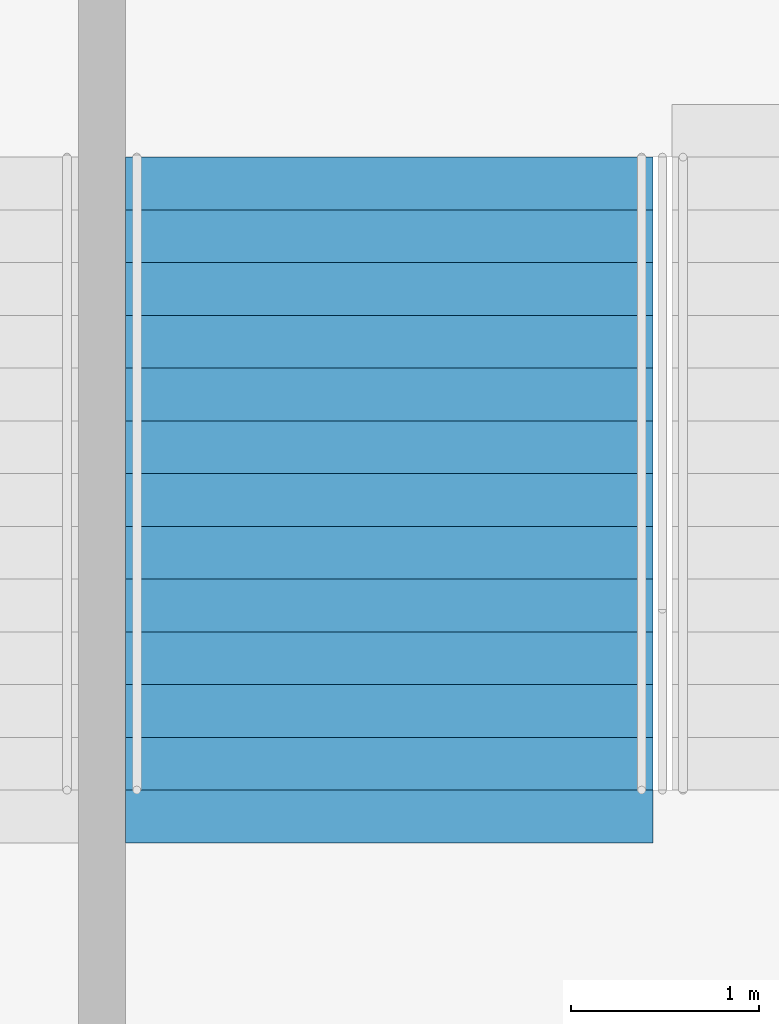
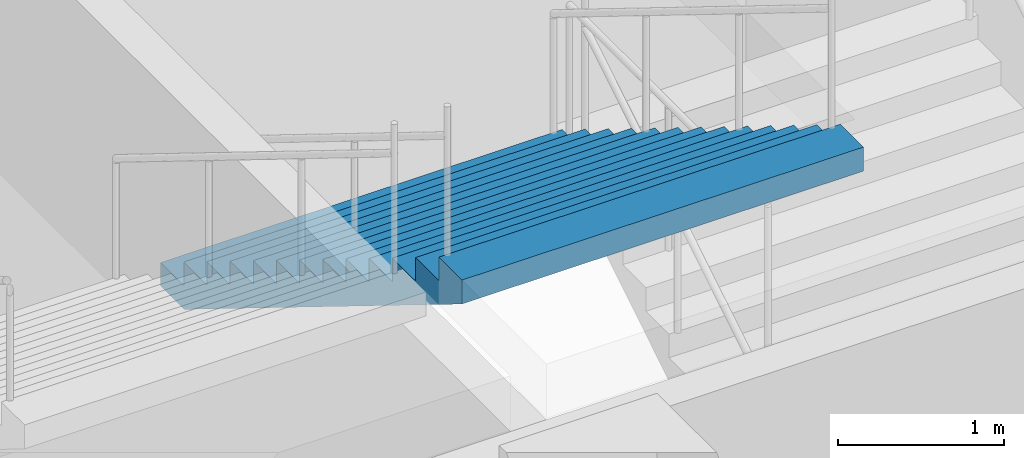
# One storey, part 146 of 177: 1 stair flight, 1 element without a shape of its own.
"""IFC4 building model written with IfcOpenShell, lengths in metres."""

from ifc_helpers import new_model, si_unit, direction, frame, origin, place, context, subcontext, project, spatial, faceted_brep, material, type_object, element, aggregate, save


model = new_model("IFC4")

# Units and contexts
model_context = context("Model", 3, precision=1e-05, world=origin(), true_north=direction((0.0, 1.0)))
body_context = subcontext(model_context, "Body", "Model", "MODEL_VIEW")
ifc_project = project(units=[si_unit("LENGTHUNIT", "METRE"), si_unit("AREAUNIT", "SQUARE_METRE"), si_unit("VOLUMEUNIT", "CUBIC_METRE"), si_unit("PLANEANGLEUNIT", "RADIAN"), si_unit("MASSUNIT", "GRAM", prefix="KILO")], contexts=[model_context])

# Site, building, storey
site_placement = place(None, origin())
site = spatial("IfcSite", under=ifc_project, at=site_placement, CompositionType="ELEMENT")
building_placement = place(site_placement, origin())
building = spatial("IfcBuilding", under=site, at=building_placement, Name="Ogive Plaza Stadium", CompositionType="ELEMENT")
storey_placement = place(building_placement, frame((0.0, 0.0, 18.0)))
storey = spatial("IfcBuildingStorey", under=building, at=storey_placement, Name="L04", CompositionType="ELEMENT", Elevation=18.0)

# Stair, stair flight
ifc_material_1 = material(Name="Concrete C40/50", Category="concrete")
stair_type = type_object("IfcStairType", Name="Exit stair", PredefinedType="STRAIGHT_RUN_STAIR", material=ifc_material_1)
stair_placement = place(storey_placement, origin())
stair = element("IfcStair", 1, at=stair_placement, inside=storey, type_object=stair_type, Name="Exit stair ST34A L04 to L05", PredefinedType="STRAIGHT_RUN_STAIR")
ifc_material_2 = material(Name="Concrete C40/50", Category="concrete")
stair_flight_type = type_object("IfcStairFlightType", Name="Exit stair flight", PredefinedType="STRAIGHT", material=ifc_material_2)
stair_flight_placement = place(storey_placement, frame((-5.27490234375, 98.2099609375, 2.25), z_axis=(0.0, 0.0, 1.0), x_axis=(0.0, -1.0, 0.0)))
stair_flight = element("IfcStairFlight", 2, at=stair_flight_placement, type_object=stair_flight_type, Name="ST34A flight 2", NumberOfRisers=13, NumberOfTreads=12, PredefinedType="STRAIGHT", RiserHeight=0.173076923, TreadLength=0.28, context=body_context, shape_type="Brep", body=[
    faceted_brep([(0.28515625, -1.39990234375, 0.0), (3.639892578125, -1.39990234375, 2.07373046875), (3.639892578125, -1.39990234375, 2.25), (3.360107421875, -1.39990234375, 2.25), (3.360107421875, -1.39990234375, 2.076904296875), (3.080078125, -1.39990234375, 2.076904296875), (3.080078125, -1.39990234375, 1.90380859375), (2.800048828125, -1.39990234375, 1.90380859375), (2.800048828125, -1.39990234375, 1.730712890625), (2.52001953125, -1.39990234375, 1.730712890625), (2.52001953125, -1.39990234375, 1.5576171875), (2.239990234375, -1.39990234375, 1.5576171875), (2.239990234375, -1.39990234375, 1.384521484375), (1.9599609375, -1.39990234375, 1.384521484375), (1.9599609375, -1.39990234375, 1.21142578125), (1.679931640625, -1.39990234375, 1.21142578125), (1.679931640625, -1.39990234375, 1.03857421875), (1.39990234375, -1.39990234375, 1.03857421875), (1.39990234375, -1.39990234375, 0.865478515625), (1.1201171875, -1.39990234375, 0.865478515625), (1.1201171875, -1.39990234375, 0.6923828125), (0.840087890625, -1.39990234375, 0.6923828125), (0.840087890625, -1.39990234375, 0.519287109375), (0.56005859375, -1.39990234375, 0.519287109375), (0.56005859375, -1.39990234375, 0.34619140625), (0.280029296875, -1.39990234375, 0.34619140625), (0.280029296875, -1.39990234375, 0.173095703125), (0.0, -1.39990234375, 0.173095703125), (0.0, -1.39990234375, 0.0), (0.0, 1.39990234375, 0.0), (0.0, 1.39990234375, 0.173095703125), (0.280029296875, 1.39990234375, 0.173095703125), (0.280029296875, 1.39990234375, 0.34619140625), (0.56005859375, 1.39990234375, 0.34619140625), (0.56005859375, 1.39990234375, 0.519287109375), (0.840087890625, 1.39990234375, 0.519287109375), (0.840087890625, 1.39990234375, 0.6923828125), (1.1201171875, 1.39990234375, 0.6923828125), (1.1201171875, 1.39990234375, 0.865478515625), (1.39990234375, 1.39990234375, 0.865478515625), (1.39990234375, 1.39990234375, 1.03857421875), (1.679931640625, 1.39990234375, 1.03857421875), (1.679931640625, 1.39990234375, 1.21142578125), (1.9599609375, 1.39990234375, 1.21142578125), (1.9599609375, 1.39990234375, 1.384521484375), (2.239990234375, 1.39990234375, 1.384521484375), (2.239990234375, 1.39990234375, 1.5576171875), (2.52001953125, 1.39990234375, 1.5576171875), (2.52001953125, 1.39990234375, 1.730712890625), (2.800048828125, 1.39990234375, 1.730712890625), (2.800048828125, 1.39990234375, 1.90380859375), (3.080078125, 1.39990234375, 1.90380859375), (3.080078125, 1.39990234375, 2.076904296875), (3.360107421875, 1.39990234375, 2.076904296875), (3.360107421875, 1.39990234375, 2.25), (3.639892578125, 1.39990234375, 2.25), (3.639892578125, 1.39990234375, 2.07373046875), (0.28515625, 1.39990234375, 0.0), (0.28515625, -1.0888671875, 0.0), (3.639892578125, -1.0888671875, 2.07373046875), (0.28515625, -0.77783203125, 0.0), (3.639892578125, -0.77783203125, 2.07373046875), (0.28515625, -0.466796875, 0.0), (3.639892578125, -0.466796875, 2.07373046875), (0.28515625, -0.155517578125, 0.0), (3.639892578125, -0.155517578125, 2.07373046875), (0.28515625, 0.155517578125, 0.0), (3.639892578125, 0.155517578125, 2.07373046875), (0.28515625, 0.466796875, 0.0), (3.639892578125, 0.466796875, 2.07373046875), (0.28515625, 0.77783203125, 0.0), (3.639892578125, 0.77783203125, 2.07373046875), (0.28515625, 1.0888671875, 0.0), (3.639892578125, 1.0888671875, 2.07373046875), (3.639892578125, -1.0888671875, 2.25), (3.639892578125, -0.77783203125, 2.25), (3.639892578125, -0.466796875, 2.25), (3.639892578125, -0.155517578125, 2.25), (3.639892578125, 0.155517578125, 2.25), (3.639892578125, 0.466796875, 2.25), (3.639892578125, 0.77783203125, 2.25), (3.639892578125, 1.0888671875, 2.25), (3.360107421875, -1.0888671875, 2.25), (3.360107421875, -0.77783203125, 2.25), (3.360107421875, -0.466796875, 2.25), (3.360107421875, -0.155517578125, 2.25), (3.360107421875, 0.155517578125, 2.25), (3.360107421875, 0.466796875, 2.25), (3.360107421875, 0.77783203125, 2.25), (3.360107421875, 1.0888671875, 2.25), (3.360107421875, -1.0888671875, 2.076904296875), (3.360107421875, -0.77783203125, 2.076904296875), (3.360107421875, -0.466796875, 2.076904296875), (3.360107421875, -0.155517578125, 2.076904296875), (3.360107421875, 0.155517578125, 2.076904296875), (3.360107421875, 0.466796875, 2.076904296875), (3.360107421875, 0.77783203125, 2.076904296875), (3.360107421875, 1.0888671875, 2.076904296875), (3.080078125, -1.0888671875, 2.076904296875), (3.080078125, -0.77783203125, 2.076904296875), (3.080078125, -0.466796875, 2.076904296875), (3.080078125, -0.155517578125, 2.076904296875), (3.080078125, 0.155517578125, 2.076904296875), (3.080078125, 0.466796875, 2.076904296875), (3.080078125, 0.77783203125, 2.076904296875), (3.080078125, 1.0888671875, 2.076904296875), (3.080078125, -1.0888671875, 1.90380859375), (3.080078125, -0.77783203125, 1.90380859375), (3.080078125, -0.466796875, 1.90380859375), (3.080078125, -0.155517578125, 1.90380859375), (3.080078125, 0.155517578125, 1.90380859375), (3.080078125, 0.466796875, 1.90380859375), (3.080078125, 0.77783203125, 1.90380859375), (3.080078125, 1.0888671875, 1.90380859375), (2.800048828125, -1.0888671875, 1.90380859375), (2.800048828125, -0.77783203125, 1.90380859375), (2.800048828125, -0.466796875, 1.90380859375), (2.800048828125, -0.155517578125, 1.90380859375), (2.800048828125, 0.155517578125, 1.90380859375), (2.800048828125, 0.466796875, 1.90380859375), (2.800048828125, 0.77783203125, 1.90380859375), (2.800048828125, 1.0888671875, 1.90380859375), (2.800048828125, -1.0888671875, 1.730712890625), (2.800048828125, -0.77783203125, 1.730712890625), (2.800048828125, -0.466796875, 1.730712890625), (2.800048828125, -0.155517578125, 1.730712890625), (2.800048828125, 0.155517578125, 1.730712890625), (2.800048828125, 0.466796875, 1.730712890625), (2.800048828125, 0.77783203125, 1.730712890625), (2.800048828125, 1.0888671875, 1.730712890625), (2.52001953125, -1.0888671875, 1.730712890625), (2.52001953125, -0.77783203125, 1.730712890625), (2.52001953125, -0.466796875, 1.730712890625), (2.52001953125, -0.155517578125, 1.730712890625), (2.52001953125, 0.155517578125, 1.730712890625), (2.52001953125, 0.466796875, 1.730712890625), (2.52001953125, 0.77783203125, 1.730712890625), (2.52001953125, 1.0888671875, 1.730712890625), (2.52001953125, -1.0888671875, 1.5576171875), (2.52001953125, -0.77783203125, 1.5576171875), (2.52001953125, -0.466796875, 1.5576171875), (2.52001953125, -0.155517578125, 1.5576171875), (2.52001953125, 0.155517578125, 1.5576171875), (2.52001953125, 0.466796875, 1.5576171875), (2.52001953125, 0.77783203125, 1.5576171875), (2.52001953125, 1.0888671875, 1.5576171875), (2.239990234375, -1.0888671875, 1.5576171875), (2.239990234375, -0.77783203125, 1.5576171875), (2.239990234375, -0.466796875, 1.5576171875), (2.239990234375, -0.155517578125, 1.5576171875), (2.239990234375, 0.155517578125, 1.5576171875), (2.239990234375, 0.466796875, 1.5576171875), (2.239990234375, 0.77783203125, 1.5576171875), (2.239990234375, 1.0888671875, 1.5576171875), (2.239990234375, -1.0888671875, 1.384521484375), (2.239990234375, -0.77783203125, 1.384521484375), (2.239990234375, -0.466796875, 1.384521484375), (2.239990234375, -0.155517578125, 1.384521484375), (2.239990234375, 0.155517578125, 1.384521484375), (2.239990234375, 0.466796875, 1.384521484375), (2.239990234375, 0.77783203125, 1.384521484375), (2.239990234375, 1.0888671875, 1.384521484375), (1.9599609375, -1.0888671875, 1.384521484375), (1.9599609375, -0.77783203125, 1.384521484375), (1.9599609375, -0.466796875, 1.384521484375), (1.9599609375, -0.155517578125, 1.384521484375), (1.9599609375, 0.155517578125, 1.384521484375), (1.9599609375, 0.466796875, 1.384521484375), (1.9599609375, 0.77783203125, 1.384521484375), (1.9599609375, 1.0888671875, 1.384521484375), (1.9599609375, -1.0888671875, 1.21142578125), (1.9599609375, -0.77783203125, 1.21142578125), (1.9599609375, -0.466796875, 1.21142578125), (1.9599609375, -0.155517578125, 1.21142578125), (1.9599609375, 0.155517578125, 1.21142578125), (1.9599609375, 0.466796875, 1.21142578125), (1.9599609375, 0.77783203125, 1.21142578125), (1.9599609375, 1.0888671875, 1.21142578125), (1.679931640625, -1.0888671875, 1.21142578125), (1.679931640625, -0.77783203125, 1.21142578125), (1.679931640625, -0.466796875, 1.21142578125), (1.679931640625, -0.155517578125, 1.21142578125), (1.679931640625, 0.155517578125, 1.21142578125), (1.679931640625, 0.466796875, 1.21142578125), (1.679931640625, 0.77783203125, 1.21142578125), (1.679931640625, 1.0888671875, 1.21142578125), (1.679931640625, -1.0888671875, 1.03857421875), (1.679931640625, -0.77783203125, 1.03857421875), (1.679931640625, -0.466796875, 1.03857421875), (1.679931640625, -0.155517578125, 1.03857421875), (1.679931640625, 0.155517578125, 1.03857421875), (1.679931640625, 0.466796875, 1.03857421875), (1.679931640625, 0.77783203125, 1.03857421875), (1.679931640625, 1.0888671875, 1.03857421875), (1.39990234375, -1.0888671875, 1.03857421875), (1.39990234375, -0.77783203125, 1.03857421875), (1.39990234375, -0.466796875, 1.03857421875), (1.39990234375, -0.155517578125, 1.03857421875), (1.39990234375, 0.155517578125, 1.03857421875), (1.39990234375, 0.466796875, 1.03857421875), (1.39990234375, 0.77783203125, 1.03857421875), (1.39990234375, 1.0888671875, 1.03857421875), (1.39990234375, -1.0888671875, 0.865478515625), (1.39990234375, -0.77783203125, 0.865478515625), (1.39990234375, -0.466796875, 0.865478515625), (1.39990234375, -0.155517578125, 0.865478515625), (1.39990234375, 0.155517578125, 0.865478515625), (1.39990234375, 0.466796875, 0.865478515625), (1.39990234375, 0.77783203125, 0.865478515625), (1.39990234375, 1.0888671875, 0.865478515625), (1.1201171875, -1.0888671875, 0.865478515625), (1.1201171875, -0.77783203125, 0.865478515625), (1.1201171875, -0.466796875, 0.865478515625), (1.1201171875, -0.155517578125, 0.865478515625), (1.1201171875, 0.155517578125, 0.865478515625), (1.1201171875, 0.466796875, 0.865478515625), (1.1201171875, 0.77783203125, 0.865478515625), (1.1201171875, 1.0888671875, 0.865478515625), (1.1201171875, -1.0888671875, 0.6923828125), (1.1201171875, -0.77783203125, 0.6923828125), (1.1201171875, -0.466796875, 0.6923828125), (1.1201171875, -0.155517578125, 0.6923828125), (1.1201171875, 0.155517578125, 0.6923828125), (1.1201171875, 0.466796875, 0.6923828125), (1.1201171875, 0.77783203125, 0.6923828125), (1.1201171875, 1.0888671875, 0.6923828125), (0.840087890625, -1.0888671875, 0.6923828125), (0.840087890625, -0.77783203125, 0.6923828125), (0.840087890625, -0.466796875, 0.6923828125), (0.840087890625, -0.155517578125, 0.6923828125), (0.840087890625, 0.155517578125, 0.6923828125), (0.840087890625, 0.466796875, 0.6923828125), (0.840087890625, 0.77783203125, 0.6923828125), (0.840087890625, 1.0888671875, 0.6923828125), (0.840087890625, -1.0888671875, 0.519287109375), (0.840087890625, -0.77783203125, 0.519287109375), (0.840087890625, -0.466796875, 0.519287109375), (0.840087890625, -0.155517578125, 0.519287109375), (0.840087890625, 0.155517578125, 0.519287109375), (0.840087890625, 0.466796875, 0.519287109375), (0.840087890625, 0.77783203125, 0.519287109375), (0.840087890625, 1.0888671875, 0.519287109375), (0.56005859375, -1.0888671875, 0.519287109375), (0.56005859375, -0.77783203125, 0.519287109375), (0.56005859375, -0.466796875, 0.519287109375), (0.56005859375, -0.155517578125, 0.519287109375), (0.56005859375, 0.155517578125, 0.519287109375), (0.56005859375, 0.466796875, 0.519287109375), (0.56005859375, 0.77783203125, 0.519287109375), (0.56005859375, 1.0888671875, 0.519287109375), (0.56005859375, -1.0888671875, 0.34619140625), (0.56005859375, -0.77783203125, 0.34619140625), (0.56005859375, -0.466796875, 0.34619140625), (0.56005859375, -0.155517578125, 0.34619140625), (0.56005859375, 0.155517578125, 0.34619140625), (0.56005859375, 0.466796875, 0.34619140625), (0.56005859375, 0.77783203125, 0.34619140625), (0.56005859375, 1.0888671875, 0.34619140625), (0.280029296875, -1.0888671875, 0.34619140625), (0.280029296875, -0.77783203125, 0.34619140625), (0.280029296875, -0.466796875, 0.34619140625), (0.280029296875, -0.155517578125, 0.34619140625), (0.280029296875, 0.155517578125, 0.34619140625), (0.280029296875, 0.466796875, 0.34619140625), (0.280029296875, 0.77783203125, 0.34619140625), (0.280029296875, 1.0888671875, 0.34619140625), (0.280029296875, -1.0888671875, 0.173095703125), (0.280029296875, -0.77783203125, 0.173095703125), (0.280029296875, -0.466796875, 0.173095703125), (0.280029296875, -0.155517578125, 0.173095703125), (0.280029296875, 0.155517578125, 0.173095703125), (0.280029296875, 0.466796875, 0.173095703125), (0.280029296875, 0.77783203125, 0.173095703125), (0.280029296875, 1.0888671875, 0.173095703125), (0.0, -1.0888671875, 0.173095703125), (0.0, -0.77783203125, 0.173095703125), (0.0, -0.466796875, 0.173095703125), (0.0, -0.155517578125, 0.173095703125), (0.0, 0.155517578125, 0.173095703125), (0.0, 0.466796875, 0.173095703125), (0.0, 0.77783203125, 0.173095703125), (0.0, 1.0888671875, 0.173095703125), (0.0, -1.0888671875, 0.0), (0.0, -0.77783203125, 0.0), (0.0, -0.466796875, 0.0), (0.0, -0.155517578125, 0.0), (0.0, 0.155517578125, 0.0), (0.0, 0.466796875, 0.0), (0.0, 0.77783203125, 0.0), (0.0, 1.0888671875, 0.0)], [[[0, 1, 2, 3, 4, 5, 6, 7, 8, 9, 10, 11, 12, 13, 14, 15, 16, 17, 18, 19, 20, 21, 22, 23, 24, 25, 26, 27, 28]], [[29, 30, 31, 32, 33, 34, 35, 36, 37, 38, 39, 40, 41, 42, 43, 44, 45, 46, 47, 48, 49, 50, 51, 52, 53, 54, 55, 56, 57]], [[0, 58, 59, 1]], [[58, 60, 61, 59]], [[60, 62, 63, 61]], [[62, 64, 65, 63]], [[64, 66, 67, 65]], [[66, 68, 69, 67]], [[68, 70, 71, 69]], [[70, 72, 73, 71]], [[72, 57, 56, 73]], [[1, 59, 74, 2]], [[59, 61, 75, 74]], [[61, 63, 76, 75]], [[63, 65, 77, 76]], [[65, 67, 78, 77]], [[67, 69, 79, 78]], [[69, 71, 80, 79]], [[71, 73, 81, 80]], [[73, 56, 55, 81]], [[2, 74, 82, 3]], [[74, 75, 83, 82]], [[75, 76, 84, 83]], [[76, 77, 85, 84]], [[77, 78, 86, 85]], [[78, 79, 87, 86]], [[79, 80, 88, 87]], [[80, 81, 89, 88]], [[81, 55, 54, 89]], [[3, 82, 90, 4]], [[82, 83, 91, 90]], [[83, 84, 92, 91]], [[84, 85, 93, 92]], [[85, 86, 94, 93]], [[86, 87, 95, 94]], [[87, 88, 96, 95]], [[88, 89, 97, 96]], [[89, 54, 53, 97]], [[4, 90, 98, 5]], [[90, 91, 99, 98]], [[91, 92, 100, 99]], [[92, 93, 101, 100]], [[93, 94, 102, 101]], [[94, 95, 103, 102]], [[95, 96, 104, 103]], [[96, 97, 105, 104]], [[97, 53, 52, 105]], [[5, 98, 106, 6]], [[98, 99, 107, 106]], [[99, 100, 108, 107]], [[100, 101, 109, 108]], [[101, 102, 110, 109]], [[102, 103, 111, 110]], [[103, 104, 112, 111]], [[104, 105, 113, 112]], [[105, 52, 51, 113]], [[6, 106, 114, 7]], [[106, 107, 115, 114]], [[107, 108, 116, 115]], [[108, 109, 117, 116]], [[109, 110, 118, 117]], [[110, 111, 119, 118]], [[111, 112, 120, 119]], [[112, 113, 121, 120]], [[113, 51, 50, 121]], [[7, 114, 122, 8]], [[114, 115, 123, 122]], [[115, 116, 124, 123]], [[116, 117, 125, 124]], [[117, 118, 126, 125]], [[118, 119, 127, 126]], [[119, 120, 128, 127]], [[120, 121, 129, 128]], [[121, 50, 49, 129]], [[8, 122, 130, 9]], [[122, 123, 131, 130]], [[123, 124, 132, 131]], [[124, 125, 133, 132]], [[125, 126, 134, 133]], [[126, 127, 135, 134]], [[127, 128, 136, 135]], [[128, 129, 137, 136]], [[129, 49, 48, 137]], [[9, 130, 138, 10]], [[130, 131, 139, 138]], [[131, 132, 140, 139]], [[132, 133, 141, 140]], [[133, 134, 142, 141]], [[134, 135, 143, 142]], [[135, 136, 144, 143]], [[136, 137, 145, 144]], [[137, 48, 47, 145]], [[10, 138, 146, 11]], [[138, 139, 147, 146]], [[139, 140, 148, 147]], [[140, 141, 149, 148]], [[141, 142, 150, 149]], [[142, 143, 151, 150]], [[143, 144, 152, 151]], [[144, 145, 153, 152]], [[145, 47, 46, 153]], [[11, 146, 154, 12]], [[146, 147, 155, 154]], [[147, 148, 156, 155]], [[148, 149, 157, 156]], [[149, 150, 158, 157]], [[150, 151, 159, 158]], [[151, 152, 160, 159]], [[152, 153, 161, 160]], [[153, 46, 45, 161]], [[12, 154, 162, 13]], [[154, 155, 163, 162]], [[155, 156, 164, 163]], [[156, 157, 165, 164]], [[157, 158, 166, 165]], [[158, 159, 167, 166]], [[159, 160, 168, 167]], [[160, 161, 169, 168]], [[161, 45, 44, 169]], [[13, 162, 170, 14]], [[162, 163, 171, 170]], [[163, 164, 172, 171]], [[164, 165, 173, 172]], [[165, 166, 174, 173]], [[166, 167, 175, 174]], [[167, 168, 176, 175]], [[168, 169, 177, 176]], [[169, 44, 43, 177]], [[14, 170, 178, 15]], [[170, 171, 179, 178]], [[171, 172, 180, 179]], [[172, 173, 181, 180]], [[173, 174, 182, 181]], [[174, 175, 183, 182]], [[175, 176, 184, 183]], [[176, 177, 185, 184]], [[177, 43, 42, 185]], [[15, 178, 186, 16]], [[178, 179, 187, 186]], [[179, 180, 188, 187]], [[180, 181, 189, 188]], [[181, 182, 190, 189]], [[182, 183, 191, 190]], [[183, 184, 192, 191]], [[184, 185, 193, 192]], [[185, 42, 41, 193]], [[16, 186, 194, 17]], [[186, 187, 195, 194]], [[187, 188, 196, 195]], [[188, 189, 197, 196]], [[189, 190, 198, 197]], [[190, 191, 199, 198]], [[191, 192, 200, 199]], [[192, 193, 201, 200]], [[193, 41, 40, 201]], [[17, 194, 202, 18]], [[194, 195, 203, 202]], [[195, 196, 204, 203]], [[196, 197, 205, 204]], [[197, 198, 206, 205]], [[198, 199, 207, 206]], [[199, 200, 208, 207]], [[200, 201, 209, 208]], [[201, 40, 39, 209]], [[18, 202, 210, 19]], [[202, 203, 211, 210]], [[203, 204, 212, 211]], [[204, 205, 213, 212]], [[205, 206, 214, 213]], [[206, 207, 215, 214]], [[207, 208, 216, 215]], [[208, 209, 217, 216]], [[209, 39, 38, 217]], [[19, 210, 218, 20]], [[210, 211, 219, 218]], [[211, 212, 220, 219]], [[212, 213, 221, 220]], [[213, 214, 222, 221]], [[214, 215, 223, 222]], [[215, 216, 224, 223]], [[216, 217, 225, 224]], [[217, 38, 37, 225]], [[20, 218, 226, 21]], [[218, 219, 227, 226]], [[219, 220, 228, 227]], [[220, 221, 229, 228]], [[221, 222, 230, 229]], [[222, 223, 231, 230]], [[223, 224, 232, 231]], [[224, 225, 233, 232]], [[225, 37, 36, 233]], [[21, 226, 234, 22]], [[226, 227, 235, 234]], [[227, 228, 236, 235]], [[228, 229, 237, 236]], [[229, 230, 238, 237]], [[230, 231, 239, 238]], [[231, 232, 240, 239]], [[232, 233, 241, 240]], [[233, 36, 35, 241]], [[22, 234, 242, 23]], [[234, 235, 243, 242]], [[235, 236, 244, 243]], [[236, 237, 245, 244]], [[237, 238, 246, 245]], [[238, 239, 247, 246]], [[239, 240, 248, 247]], [[240, 241, 249, 248]], [[241, 35, 34, 249]], [[23, 242, 250, 24]], [[242, 243, 251, 250]], [[243, 244, 252, 251]], [[244, 245, 253, 252]], [[245, 246, 254, 253]], [[246, 247, 255, 254]], [[247, 248, 256, 255]], [[248, 249, 257, 256]], [[249, 34, 33, 257]], [[24, 250, 258, 25]], [[250, 251, 259, 258]], [[251, 252, 260, 259]], [[252, 253, 261, 260]], [[253, 254, 262, 261]], [[254, 255, 263, 262]], [[255, 256, 264, 263]], [[256, 257, 265, 264]], [[257, 33, 32, 265]], [[25, 258, 266, 26]], [[258, 259, 267, 266]], [[259, 260, 268, 267]], [[260, 261, 269, 268]], [[261, 262, 270, 269]], [[262, 263, 271, 270]], [[263, 264, 272, 271]], [[264, 265, 273, 272]], [[265, 32, 31, 273]], [[26, 266, 274, 27]], [[266, 267, 275, 274]], [[267, 268, 276, 275]], [[268, 269, 277, 276]], [[269, 270, 278, 277]], [[270, 271, 279, 278]], [[271, 272, 280, 279]], [[272, 273, 281, 280]], [[273, 31, 30, 281]], [[27, 274, 282, 28]], [[274, 275, 283, 282]], [[275, 276, 284, 283]], [[276, 277, 285, 284]], [[277, 278, 286, 285]], [[278, 279, 287, 286]], [[279, 280, 288, 287]], [[280, 281, 289, 288]], [[281, 30, 29, 289]], [[28, 282, 58, 0]], [[282, 283, 60, 58]], [[283, 284, 62, 60]], [[284, 285, 64, 62]], [[285, 286, 66, 64]], [[286, 287, 68, 66]], [[287, 288, 70, 68]], [[288, 289, 72, 70]], [[289, 29, 57, 72]]]),
])
aggregate(stair, [stair_flight])

save(model, "model.ifc")
